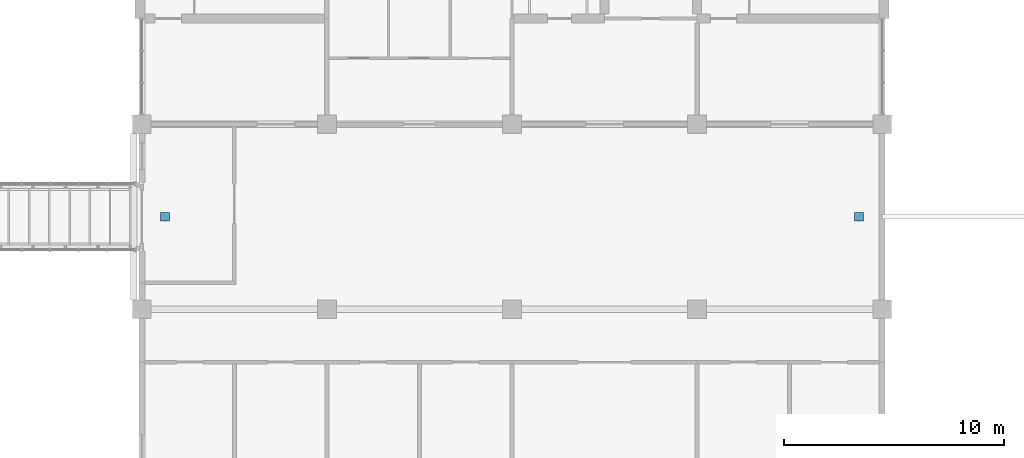
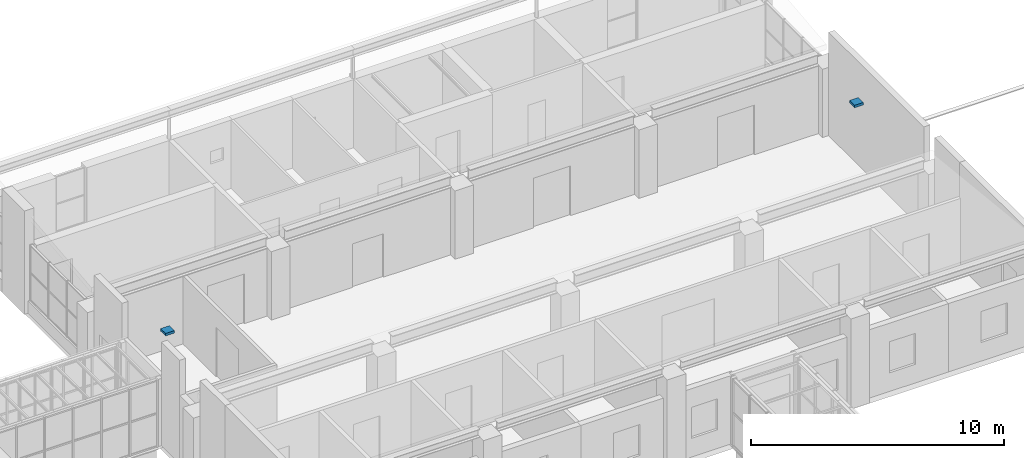
# One storey, part 82 of 94: 2 discrete accessories.
"""IFC4 building model written with IfcOpenShell, lengths in metres."""

from ifc_helpers import new_model, si_unit, direction, frame, origin, origin_2d, place, context, subcontext, project, spatial, rectangle, extrude, material, type_object, element, save


model = new_model("IFC4")

# Units and contexts
model_context = context("Model", 3, precision=1e-05, world=origin(), true_north=direction((0.0, 1.0)))
body_context = subcontext(model_context, "Body", "Model", "MODEL_VIEW")
ifc_project = project(units=[si_unit("LENGTHUNIT", "METRE"), si_unit("AREAUNIT", "SQUARE_METRE"), si_unit("VOLUMEUNIT", "CUBIC_METRE"), si_unit("PLANEANGLEUNIT", "RADIAN"), si_unit("MASSUNIT", "GRAM", prefix="KILO")], contexts=[model_context])

# Site, building, storey
site_placement = place(None, origin())
site = spatial("IfcSite", under=ifc_project, at=site_placement, CompositionType="ELEMENT")
building_placement = place(site_placement, origin())
building = spatial("IfcBuilding", under=site, at=building_placement, Name="Yavir Park General Hospital", CompositionType="ELEMENT")
storey_placement = place(building_placement, frame((0.0, 0.0, 4.5)))
storey = spatial("IfcBuildingStorey", under=building, at=storey_placement, Name="L01", CompositionType="ELEMENT", Elevation=4.5)

# Discrete accessories
ifc_material = material(Name="Cast iron outlet with leaf guard")
discrete_accessory_type = type_object("IfcDiscreteAccessoryType", Name="Roof outlet 400 x 400", PredefinedType="NOTDEFINED", material=ifc_material)
for number, where, z_axis, x_axis, name in (
    (1, (34.64990234375, 63.0, 4.135009765625), (0.0, 0.0, 1.0), (1.0, 0.0, 0.0), "Roof outlet CLIN-G1.1"),
    (2, (66.14990234375, 63.0, 4.135009765625), (0.0, 0.0, 1.0), (1.0, 0.0, 0.0), "Roof outlet CLIN-G1.2"),
):
    element("IfcDiscreteAccessory", number, at=place(storey_placement, frame(where, z_axis=z_axis, x_axis=x_axis)), inside=storey, type_object=discrete_accessory_type, Name=name, PredefinedType="NOTDEFINED", context=body_context, shape_type="SweptSolid", body=[
        extrude(rectangle(XDim=0.39990234375, YDim=0.39990234375, at=origin_2d()), origin(), (0.0, 0.0, 1.0), 0.1201171875),
    ])

save(model, "model.ifc")
